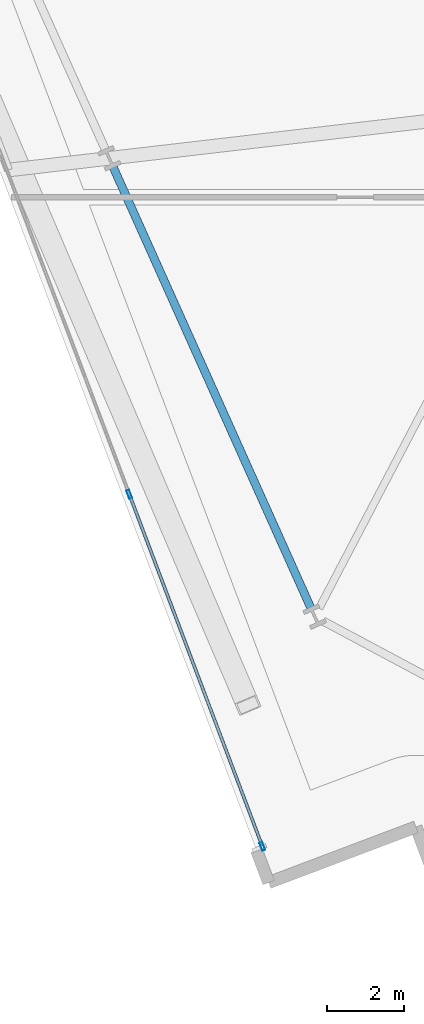
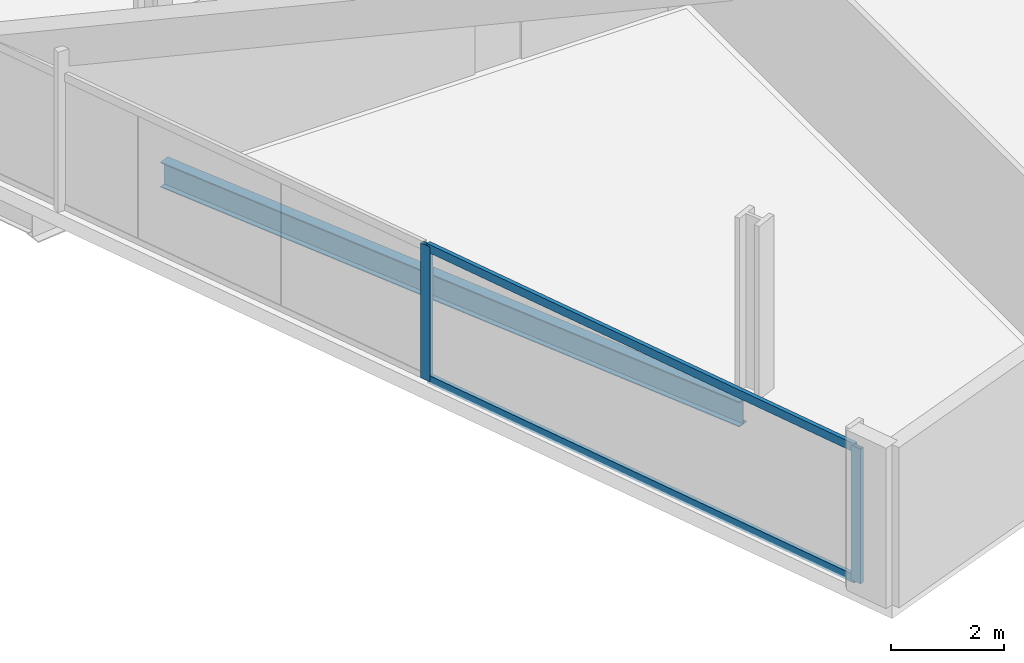
# One storey, part 2 of 37: 4 members, 1 beam, 1 element without a shape of its own.
"""IFC4 building model written with IfcOpenShell, lengths in metres."""

from ifc_helpers import new_model, si_unit, direction, frame, origin, origin_2d, place, context, subcontext, project, spatial, hollow_rectangle, i_section, extrude, material, material_profile, profile_set, type_object, element, aggregate, save


model = new_model("IFC4")

# Units and contexts
model_context = context("Model", 3, precision=1e-05, world=origin(), true_north=direction((0.0, 1.0)))
body_context = subcontext(model_context, "Body", "Model", "MODEL_VIEW")
ifc_project = project(units=[si_unit("LENGTHUNIT", "METRE"), si_unit("AREAUNIT", "SQUARE_METRE"), si_unit("VOLUMEUNIT", "CUBIC_METRE"), si_unit("PLANEANGLEUNIT", "RADIAN"), si_unit("MASSUNIT", "GRAM", prefix="KILO")], contexts=[model_context])

# Site, building, storey
site_placement = place(None, origin())
site = spatial("IfcSite", under=ifc_project, at=site_placement, CompositionType="ELEMENT")
building_placement = place(site_placement, origin())
building = spatial("IfcBuilding", under=site, at=building_placement, Name="Haldenkirk Collegiate Tower", CompositionType="ELEMENT")
storey_placement = place(building_placement, frame((0.0, 0.0, 97.949951171875)))
storey = spatial("IfcBuildingStorey", under=building, at=storey_placement, Name="L23", CompositionType="ELEMENT", Elevation=97.949951171875)

# Beam
ifc_material_1 = material(Name="Steel ASTM A992 Grade 50", Category="steel")
ifc_material_profile_1 = material_profile(ifc_material_1, i_section(OverallWidth=0.2119140625, OverallDepth=0.5439453125, WebThickness=0.01318359375, FlangeThickness=0.021240234375, at=origin_2d()), Name="W21X83")
ifc_profile_set_1 = profile_set([ifc_material_profile_1], Name="Steel ASTM A992 Grade 50")
beam_type = type_object("IfcBeamType", Name="BM-SPANDREL-W21X83", PredefinedType="SPANDREL", material=ifc_profile_set_1)
beam_placement = place(storey_placement, frame((14.742919921875, 16.3369140625, -0.572021484375), z_axis=(0.409131045523, -0.91247563671, 0.0), x_axis=(0.91247563671, 0.409131045523, 0.0)))
element("IfcBeam", 1, at=beam_placement, inside=storey, type_object=beam_type, Name="L23 perimeter spandrel beam 15", PredefinedType="SPANDREL", context=body_context, shape_type="SweptSolid", body=[
    extrude(i_section(OverallWidth=0.2119140625, OverallDepth=0.5439453125, WebThickness=0.01318359375, FlangeThickness=0.021240234375, at=origin_2d()), origin(), (0.0, 0.0, 1.0), 12.593994140625),
])

# Curtain wall, members
ifc_material_2 = material(Name="Anodised architectural bronze aluminium", Category="aluminium")
curtain_wall_type = type_object("IfcCurtainWallType", Name="CW-SYS1-CONVEX-LOW", PredefinedType="USERDEFINED", material=ifc_material_2)
curtain_wall_placement = place(storey_placement, origin())
curtain_wall = element("IfcCurtainWall", 2, at=curtain_wall_placement, inside=storey, type_object=curtain_wall_type, Name="L23 Lower tower convex bronze-framed unitised curtain wall", ObjectType="UNITISED CURTAIN WALL", PredefinedType="USERDEFINED")
ifc_material_profile_2 = material_profile(ifc_material_2, hollow_rectangle(XDim=0.080078125, YDim=0.219970703125, WallThickness=0.0048828125, at=origin_2d()), Name="CW-MUL-1A")
ifc_profile_set_2 = profile_set([ifc_material_profile_2], Name="Anodised architectural bronze aluminium")
member_type_1 = type_object("IfcMemberType", Name="CW-MUL-1A", PredefinedType="MULLION", material=ifc_profile_set_2)
member_1_placement = place(storey_placement, frame((18.632080078125, -1.365966796875, 0.0), z_axis=(0.0, 0.0, 1.0), x_axis=(-0.93544328227, -0.35347682478, 0.0)))
member_1 = element("IfcMember", 3, at=member_1_placement, type_object=member_type_1, Name="CW-1A mullion 1", PredefinedType="MULLION", context=body_context, shape_type="SweptSolid", body=[
    extrude(hollow_rectangle(XDim=0.080078125, YDim=0.219970703125, WallThickness=0.0048828125, at=origin_2d()), origin(), (0.0, 0.0, 1.0), 2.901123046875),
])
member_2_placement = place(storey_placement, frame((15.164306640625, 7.810791015625, 0.0), z_axis=(0.0, 0.0, 1.0), x_axis=(-0.93544328227, -0.35347682478, 0.0)))
member_2 = element("IfcMember", 4, at=member_2_placement, type_object=member_type_1, Name="CW-1A mullion 2", PredefinedType="MULLION", context=body_context, shape_type="SweptSolid", body=[
    extrude(hollow_rectangle(XDim=0.080078125, YDim=0.219970703125, WallThickness=0.0048828125, at=origin_2d()), origin(), (0.0, 0.0, 1.0), 2.901123046875),
])
ifc_material_profile_3 = material_profile(ifc_material_2, hollow_rectangle(XDim=0.080078125, YDim=0.179931640625, WallThickness=0.0048828125, at=origin_2d()), Name="CW-TRN-1A")
ifc_profile_set_3 = profile_set([ifc_material_profile_3], Name="Anodised architectural bronze aluminium")
member_type_2 = type_object("IfcMemberType", Name="CW-TRN-1A", PredefinedType="USERDEFINED", material=ifc_profile_set_3)
member_3_placement = place(storey_placement, frame((18.617919921875, -1.328369140625, 0.0400390625), z_axis=(-0.353489862258, 0.935438355682, 0.0), x_axis=(-0.935438355682, -0.353489862258, 0.0)))
member_3 = element("IfcMember", 5, at=member_3_placement, type_object=member_type_2, Name="CW-1A transom 1.1", ObjectType="TRANSOM", PredefinedType="USERDEFINED", context=body_context, shape_type="SweptSolid", body=[
    extrude(hollow_rectangle(XDim=0.080078125, YDim=0.179931640625, WallThickness=0.0048828125, at=origin_2d()), origin(), (0.0, 0.0, 1.0), 9.72998046875),
])
member_4_placement = place(storey_placement, frame((18.617919921875, -1.328369140625, 2.861083984375), z_axis=(-0.353489862258, 0.935438355682, 0.0), x_axis=(-0.935438355682, -0.353489862258, 0.0)))
member_4 = element("IfcMember", 6, at=member_4_placement, type_object=member_type_2, Name="CW-1A transom 1.2", ObjectType="TRANSOM", PredefinedType="USERDEFINED", context=body_context, shape_type="SweptSolid", body=[
    extrude(hollow_rectangle(XDim=0.080078125, YDim=0.179931640625, WallThickness=0.0048828125, at=origin_2d()), origin(), (0.0, 0.0, 1.0), 9.72998046875),
])
aggregate(curtain_wall, [member_1, member_2, member_3, member_4])

save(model, "model.ifc")
